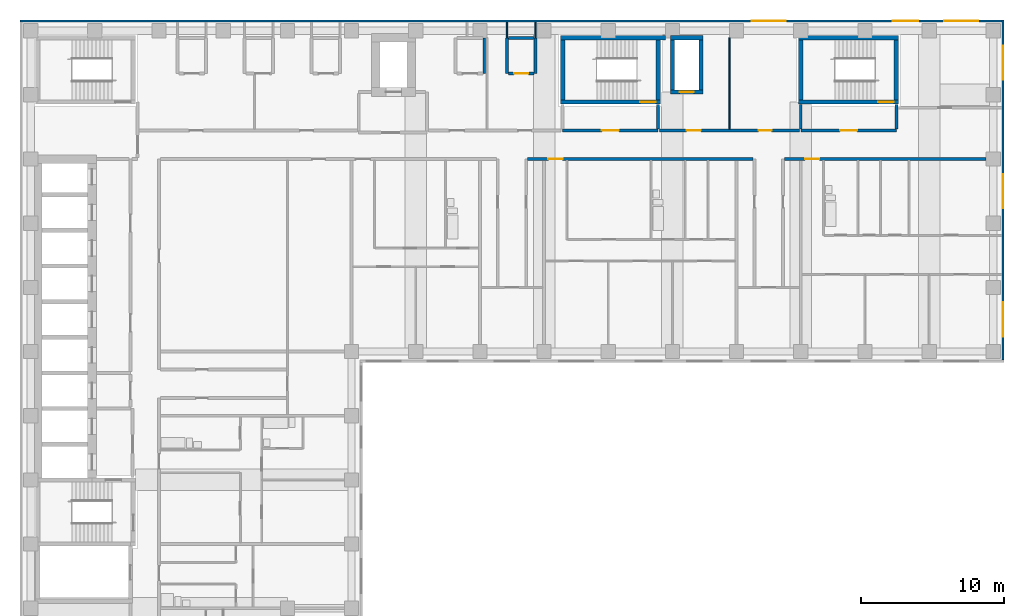
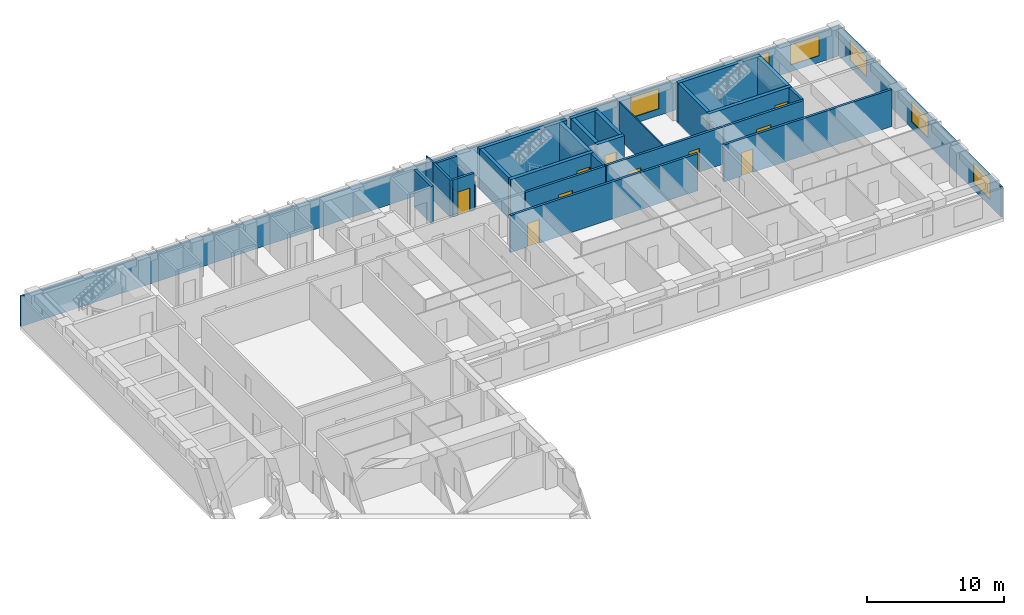
# One storey, part 8 of 12: 30 walls, 10 doors, 6 windows, 16 openings.
"""IFC4 building model written with IfcOpenShell, lengths in metres."""

from ifc_helpers import new_model, si_unit, direction, frame, frame_2d, origin, place, context, subcontext, project, spatial, rectangle, extrude, material, layer, layer_set, type_object, element, fill, save


model = new_model("IFC4")

# Units and contexts
model_context = context("Model", 3, precision=1e-05, world=origin(), true_north=direction((0.0, 1.0)))
body_context = subcontext(model_context, "Body", "Model", "MODEL_VIEW")
ifc_project = project(units=[si_unit("LENGTHUNIT", "METRE"), si_unit("AREAUNIT", "SQUARE_METRE"), si_unit("VOLUMEUNIT", "CUBIC_METRE"), si_unit("PLANEANGLEUNIT", "RADIAN"), si_unit("MASSUNIT", "GRAM", prefix="KILO")], contexts=[model_context])

# Site, building, storey
site_placement = place(None, origin())
site = spatial("IfcSite", under=ifc_project, at=site_placement, CompositionType="ELEMENT")
building_placement = place(site_placement, origin())
building = spatial("IfcBuilding", under=site, at=building_placement, Name="Firuza Court", CompositionType="ELEMENT")
storey_placement = place(building_placement, frame((0.0, 0.0, 152.0)))
storey = spatial("IfcBuildingStorey", under=building, at=storey_placement, Name="L38", CompositionType="ELEMENT", Elevation=152.0)

# Wall, opening, door
ifc_material_1 = material(Name="Concrete C60/75", Category="concrete")
ifc_layer_1 = layer(ifc_material_1, 0.300048828125)
ifc_layer_set_1 = layer_set([ifc_layer_1], Name="Concrete C60/75")
wall_type_1 = type_object("IfcWallType", Name="Core wall 300 C60/75", PredefinedType="SHEAR", material=ifc_layer_set_1)
wall_1_placement = place(storey_placement, frame((37.14990234375, 53.5, -0.300048828125), z_axis=(0.0, 0.0, 1.0), x_axis=(1.0, 0.0, 0.0)))
wall_1 = element("IfcWall", 1, at=wall_1_placement, inside=storey, type_object=wall_type_1, Name="Core wall stair L38", PredefinedType="SHEAR", context=body_context, shape_type="SweptSolid", body=[
    extrude(rectangle(XDim=7.0, YDim=0.300048828125, at=frame_2d((3.5, 0.0))), origin(), (0.0, 0.0, 1.0), 3.60009765625),
])
opening_1_placement = place(wall_1_placement, frame((5.580078125, 0.0, 0.300048828125)))
opening_1 = element("IfcOpeningElement", 2, at=opening_1_placement, cuts=wall_1, Name="Opening D38012", PredefinedType="OPENING", context=body_context, shape_type="SweptSolid", body=[
    extrude(rectangle(XDim=1.10009765625, YDim=2.10009765625, at=frame_2d((0.550048828125, 1.050048828125))), frame((0.0, 0.162109375, 0.0), z_axis=(0.0, -1.0, 0.0), x_axis=(1.0, 0.0, 0.0)), (0.0, 0.0, 1.0), 0.323974609375),
])
ifc_material_2 = material(Name="Timber door leaf in hardwood frame", Category="wood")
door_type_1 = type_object("IfcDoorType", Name="Stair door 1100", OperationType="SINGLE_SWING_LEFT", PredefinedType="DOOR", material=ifc_material_2)
door_1_placement = place(opening_1_placement, origin())
door_1 = element("IfcDoor", 3, at=door_1_placement, inside=storey, type_object=door_type_1, Name="Stair door S1", OperationType="SINGLE_SWING_RIGHT", OverallHeight=2.10009765625, OverallWidth=1.10009765625, PredefinedType="DOOR", context=body_context, shape_type="SweptSolid", body=[
    extrude(rectangle(XDim=1.10009765625, YDim=2.10009765625, at=frame_2d((0.550048828125, 1.050048828125))), frame((0.0, 0.02490234375, 0.0), z_axis=(0.0, -1.0, 0.0), x_axis=(1.0, 0.0, 0.0)), (0.0, 0.0, 1.0), 0.050048828125),
])
fill(opening_1, door_1)

# Walls
wall_2_placement = place(storey_placement, frame((37.14990234375, 58.0, -0.300048828125), z_axis=(0.0, 0.0, 1.0), x_axis=(1.0, 0.0, 0.0)))
element("IfcWall", 4, at=wall_2_placement, inside=storey, type_object=wall_type_1, Name="Core wall stair L38", PredefinedType="SHEAR", context=body_context, shape_type="SweptSolid", body=[
    extrude(rectangle(XDim=7.35009765625, YDim=0.300048828125, at=frame_2d((3.675048828125, 0.0))), origin(), (0.0, 0.0, 1.0), 3.60009765625),
])
for number, where, z_axis, x_axis, name in (
    (5, (37.300048828125, 53.64990234375, -0.300048828125), (0.0, 0.0, 1.0), (0.0, 1.0, 0.0), "Core wall stair L38"),
    (6, (44.0, 53.64990234375, -0.300048828125), (0.0, 0.0, 1.0), (0.0, 1.0, 0.0), "Core wall stair L38"),
):
    element("IfcWall", number, at=place(storey_placement, frame(where, z_axis=z_axis, x_axis=x_axis)), inside=storey, type_object=wall_type_1, Name=name, PredefinedType="SHEAR", context=body_context, shape_type="SweptSolid", body=[
        extrude(rectangle(XDim=4.2001953125, YDim=0.300048828125, at=frame_2d((2.10009765625, 0.0))), origin(), (0.0, 0.0, 1.0), 3.60009765625),
    ])

# Wall, opening, door
wall_3_placement = place(storey_placement, frame((44.85009765625, 54.199951171875, -0.300048828125), z_axis=(0.0, 0.0, 1.0), x_axis=(1.0, 0.0, 0.0)))
wall_3 = element("IfcWall", 7, at=wall_3_placement, inside=storey, type_object=wall_type_1, Name="Core wall riser L38", PredefinedType="SHEAR", context=body_context, shape_type="SweptSolid", body=[
    extrude(rectangle(XDim=2.2998046875, YDim=0.300048828125, at=frame_2d((1.14990234375, 0.0))), origin(), (0.0, 0.0, 1.0), 3.60009765625),
])
opening_2_placement = place(wall_3_placement, frame((0.64990234375, 0.0, 0.300048828125)))
opening_2 = element("IfcOpeningElement", 8, at=opening_2_placement, cuts=wall_3, Name="Opening D38010", PredefinedType="OPENING", context=body_context, shape_type="SweptSolid", body=[
    extrude(rectangle(XDim=1.0, YDim=2.10009765625, at=frame_2d((0.5, 1.050048828125))), frame((0.0, 0.162109375, 0.0), z_axis=(0.0, -1.0, 0.0), x_axis=(1.0, 0.0, 0.0)), (0.0, 0.0, 1.0), 0.323974609375),
])
ifc_material_3 = material(Name="Timber door leaf in hardwood frame", Category="wood")
door_type_2 = type_object("IfcDoorType", Name="Riser door 1000", OperationType="SINGLE_SWING_LEFT", PredefinedType="DOOR", material=ifc_material_3)
door_2_placement = place(opening_2_placement, origin())
door_2 = element("IfcDoor", 9, at=door_2_placement, inside=storey, type_object=door_type_2, Name="Riser door R3", OperationType="SINGLE_SWING_LEFT", OverallHeight=2.10009765625, OverallWidth=1.0, PredefinedType="DOOR", context=body_context, shape_type="SweptSolid", body=[
    extrude(rectangle(XDim=1.0, YDim=2.10009765625, at=frame_2d((0.5, 1.050048828125))), frame((0.0, 0.02490234375, 0.0), z_axis=(0.0, -1.0, 0.0), x_axis=(1.0, 0.0, 0.0)), (0.0, 0.0, 1.0), 0.050048828125),
])
fill(opening_2, door_2)

# Walls
wall_4_placement = place(storey_placement, frame((44.85009765625, 58.0, -0.300048828125), z_axis=(0.0, 0.0, 1.0), x_axis=(1.0, 0.0, 0.0)))
element("IfcWall", 10, at=wall_4_placement, inside=storey, type_object=wall_type_1, Name="Core wall riser L38", PredefinedType="SHEAR", context=body_context, shape_type="SweptSolid", body=[
    extrude(rectangle(XDim=2.2998046875, YDim=0.300048828125, at=frame_2d((1.14990234375, 0.0))), origin(), (0.0, 0.0, 1.0), 3.60009765625),
])
for number, where, z_axis, x_axis, name in (
    (11, (45.0, 54.35009765625, -0.300048828125), (0.0, 0.0, 1.0), (0.0, 1.0, 0.0), "Core wall riser L38"),
    (12, (47.0, 54.35009765625, -0.300048828125), (0.0, 0.0, 1.0), (0.0, 1.0, 0.0), "Core wall riser L38"),
):
    element("IfcWall", number, at=place(storey_placement, frame(where, z_axis=z_axis, x_axis=x_axis)), inside=storey, type_object=wall_type_1, Name=name, PredefinedType="SHEAR", context=body_context, shape_type="SweptSolid", body=[
        extrude(rectangle(XDim=3.5, YDim=0.300048828125, at=frame_2d((1.75, 0.0))), origin(), (0.0, 0.0, 1.0), 3.60009765625),
    ])

# Wall, opening, door
wall_5_placement = place(storey_placement, frame((53.85009765625, 53.5, -0.300048828125), z_axis=(0.0, 0.0, 1.0), x_axis=(1.0, 0.0, 0.0)))
wall_5 = element("IfcWall", 13, at=wall_5_placement, inside=storey, type_object=wall_type_1, Name="Core wall stair L38", PredefinedType="SHEAR", context=body_context, shape_type="SweptSolid", body=[
    extrude(rectangle(XDim=7.0, YDim=0.300048828125, at=frame_2d((3.5, 0.0))), origin(), (0.0, 0.0, 1.0), 3.60009765625),
])
opening_3_placement = place(wall_5_placement, frame((5.580078125, 0.0, 0.300048828125)))
opening_3 = element("IfcOpeningElement", 14, at=opening_3_placement, cuts=wall_5, Name="Opening D38016", PredefinedType="OPENING", context=body_context, shape_type="SweptSolid", body=[
    extrude(rectangle(XDim=1.10009765625, YDim=2.10009765625, at=frame_2d((0.550048828125, 1.050048828125))), frame((0.0, 0.162109375, 0.0), z_axis=(0.0, -1.0, 0.0), x_axis=(1.0, 0.0, 0.0)), (0.0, 0.0, 1.0), 0.323974609375),
])
door_3_placement = place(opening_3_placement, origin())
door_3 = element("IfcDoor", 15, at=door_3_placement, inside=storey, type_object=door_type_1, Name="Stair door S4", OperationType="SINGLE_SWING_RIGHT", OverallHeight=2.10009765625, OverallWidth=1.10009765625, PredefinedType="DOOR", context=body_context, shape_type="SweptSolid", body=[
    extrude(rectangle(XDim=1.10009765625, YDim=2.10009765625, at=frame_2d((0.550048828125, 1.050048828125))), frame((0.0, 0.02490234375, 0.0), z_axis=(0.0, -1.0, 0.0), x_axis=(1.0, 0.0, 0.0)), (0.0, 0.0, 1.0), 0.050048828125),
])
fill(opening_3, door_3)

# Walls
wall_6_placement = place(storey_placement, frame((53.85009765625, 58.0, -0.300048828125), z_axis=(0.0, 0.0, 1.0), x_axis=(1.0, 0.0, 0.0)))
element("IfcWall", 16, at=wall_6_placement, inside=storey, type_object=wall_type_1, Name="Core wall stair L38", PredefinedType="SHEAR", context=body_context, shape_type="SweptSolid", body=[
    extrude(rectangle(XDim=7.0, YDim=0.300048828125, at=frame_2d((3.5, 0.0))), origin(), (0.0, 0.0, 1.0), 3.60009765625),
])
for number, where, z_axis, x_axis, name in (
    (17, (54.0, 53.64990234375, -0.300048828125), (0.0, 0.0, 1.0), (0.0, 1.0, 0.0), "Core wall stair L38"),
    (18, (60.699951171875, 53.64990234375, -0.300048828125), (0.0, 0.0, 1.0), (0.0, 1.0, 0.0), "Core wall stair L38"),
):
    element("IfcWall", number, at=place(storey_placement, frame(where, z_axis=z_axis, x_axis=x_axis)), inside=storey, type_object=wall_type_1, Name=name, PredefinedType="SHEAR", context=body_context, shape_type="SweptSolid", body=[
        extrude(rectangle(XDim=4.2001953125, YDim=0.300048828125, at=frame_2d((2.10009765625, 0.0))), origin(), (0.0, 0.0, 1.0), 3.60009765625),
    ])

# Wall, opening, door
ifc_material_4 = material(Name="Blockwork, plastered both sides", Category="masonry")
ifc_layer_2 = layer(ifc_material_4, 0.199951171875)
ifc_layer_set_2 = layer_set([ifc_layer_2], Name="Blockwork, plastered both sides")
wall_type_2 = type_object("IfcWallType", Name="Corridor wall 200", PredefinedType="PARTITIONING", material=ifc_layer_set_2)
wall_7_placement = place(storey_placement, frame((34.85009765625, 49.5, 0.0), z_axis=(0.0, 0.0, 1.0), x_axis=(1.0, 0.0, 0.0)))
wall_7 = element("IfcWall", 19, at=wall_7_placement, inside=storey, type_object=wall_type_2, Name="Corridor wall 200 L38", PredefinedType="PARTITIONING", context=body_context, shape_type="SweptSolid", body=[
    extrude(rectangle(XDim=15.7998046875, YDim=0.199951171875, at=frame_2d((7.89990234375, 0.0))), origin(), (0.0, 0.0, 1.0), 3.300048828125),
])
opening_4_placement = place(wall_7_placement, frame((1.449951171875, 0.0, 0.0)))
opening_4 = element("IfcOpeningElement", 20, at=opening_4_placement, cuts=wall_7, Name="Opening D38068", PredefinedType="OPENING", context=body_context, shape_type="SweptSolid", body=[
    extrude(rectangle(XDim=1.0, YDim=2.10009765625, at=frame_2d((0.5, 1.050048828125))), frame((0.0, 0.11181640625, 0.0), z_axis=(0.0, -1.0, 0.0), x_axis=(1.0, 0.0, 0.0)), (0.0, 0.0, 1.0), 0.223876953125),
])
ifc_material_5 = material(Name="Timber door leaf in hardwood frame", Category="wood")
door_type_3 = type_object("IfcDoorType", Name="Flat entrance door 1000", OperationType="SINGLE_SWING_LEFT", PredefinedType="DOOR", material=ifc_material_5)
door_4_placement = place(opening_4_placement, origin())
door_4 = element("IfcDoor", 21, at=door_4_placement, inside=storey, type_object=door_type_3, Name="Flat entrance door", OperationType="SINGLE_SWING_LEFT", OverallHeight=2.10009765625, OverallWidth=1.0, PredefinedType="DOOR", context=body_context, shape_type="SweptSolid", body=[
    extrude(rectangle(XDim=1.0, YDim=2.10009765625, at=frame_2d((0.5, 1.050048828125))), frame((0.0, 0.02490234375, 0.0), z_axis=(0.0, -1.0, 0.0), x_axis=(1.0, 0.0, 0.0)), (0.0, 0.0, 1.0), 0.050048828125),
])
fill(opening_4, door_4)

wall_8_placement = place(storey_placement, frame((52.85009765625, 49.5, 0.0), z_axis=(0.0, 0.0, 1.0), x_axis=(1.0, 0.0, 0.0)))
wall_8 = element("IfcWall", 22, at=wall_8_placement, inside=storey, type_object=wall_type_2, Name="Corridor wall 200 L38", PredefinedType="PARTITIONING", context=body_context, shape_type="SweptSolid", body=[
    extrude(rectangle(XDim=14.14990234375, YDim=0.199951171875, at=frame_2d((7.074951171875, 0.0))), origin(), (0.0, 0.0, 1.0), 3.300048828125),
])
opening_5_placement = place(wall_8_placement, frame((1.449951171875, 0.0, 0.0)))
opening_5 = element("IfcOpeningElement", 23, at=opening_5_placement, cuts=wall_8, Name="Opening D38069", PredefinedType="OPENING", context=body_context, shape_type="SweptSolid", body=[
    extrude(rectangle(XDim=1.0, YDim=2.10009765625, at=frame_2d((0.5, 1.050048828125))), frame((0.0, 0.11181640625, 0.0), z_axis=(0.0, -1.0, 0.0), x_axis=(1.0, 0.0, 0.0)), (0.0, 0.0, 1.0), 0.223876953125),
])
door_5_placement = place(opening_5_placement, origin())
door_5 = element("IfcDoor", 24, at=door_5_placement, inside=storey, type_object=door_type_3, Name="Flat entrance door", OperationType="SINGLE_SWING_LEFT", OverallHeight=2.10009765625, OverallWidth=1.0, PredefinedType="DOOR", context=body_context, shape_type="SweptSolid", body=[
    extrude(rectangle(XDim=1.0, YDim=2.10009765625, at=frame_2d((0.5, 1.050048828125))), frame((0.0, 0.02490234375, 0.0), z_axis=(0.0, -1.0, 0.0), x_axis=(1.0, 0.0, 0.0)), (0.0, 0.0, 1.0), 0.050048828125),
])
fill(opening_5, door_5)

# Wall, openings, doors
wall_9_placement = place(storey_placement, frame((44.10009765625, 51.5, 0.0), z_axis=(0.0, 0.0, 1.0), x_axis=(1.0, 0.0, 0.0)))
wall_9 = element("IfcWall", 25, at=wall_9_placement, inside=storey, type_object=wall_type_2, Name="Corridor wall 200 L38", PredefinedType="PARTITIONING", context=body_context, shape_type="SweptSolid", body=[
    extrude(rectangle(XDim=9.7998046875, YDim=0.199951171875, at=frame_2d((4.89990234375, 0.0))), origin(), (0.0, 0.0, 1.0), 3.300048828125),
])
opening_6_placement = place(wall_9_placement, frame((1.89990234375, 0.0, 0.0)))
opening_6 = element("IfcOpeningElement", 26, at=opening_6_placement, cuts=wall_9, Name="Opening D38074", PredefinedType="OPENING", context=body_context, shape_type="SweptSolid", body=[
    extrude(rectangle(XDim=1.0, YDim=2.10009765625, at=frame_2d((0.5, 1.050048828125))), frame((0.0, 0.11181640625, 0.0), z_axis=(0.0, -1.0, 0.0), x_axis=(1.0, 0.0, 0.0)), (0.0, 0.0, 1.0), 0.223876953125),
])
opening_7_placement = place(wall_9_placement, frame((6.949951171875, 0.0, 0.0)))
opening_7 = element("IfcOpeningElement", 27, at=opening_7_placement, cuts=wall_9, Name="Opening D38075", PredefinedType="OPENING", context=body_context, shape_type="SweptSolid", body=[
    extrude(rectangle(XDim=0.89990234375, YDim=2.10009765625, at=frame_2d((0.449951171875, 1.050048828125))), frame((0.0, 0.11181640625, 0.0), z_axis=(0.0, -1.0, 0.0), x_axis=(1.0, 0.0, 0.0)), (0.0, 0.0, 1.0), 0.223876953125),
])
ifc_material_6 = material(Name="Timber door leaf in hardwood frame", Category="wood")
door_type_4 = type_object("IfcDoorType", Name="Room door 900 EI 30", OperationType="SINGLE_SWING_LEFT", PredefinedType="DOOR", material=ifc_material_6)
door_6_placement = place(opening_7_placement, origin())
door_6 = element("IfcDoor", 28, at=door_6_placement, inside=storey, type_object=door_type_4, Name="Meeting room door", OperationType="SINGLE_SWING_LEFT", OverallHeight=2.10009765625, OverallWidth=0.89990234375, PredefinedType="DOOR", context=body_context, shape_type="SweptSolid", body=[
    extrude(rectangle(XDim=0.89990234375, YDim=2.10009765625, at=frame_2d((0.449951171875, 1.050048828125))), frame((0.0, 0.02490234375, 0.0), z_axis=(0.0, -1.0, 0.0), x_axis=(1.0, 0.0, 0.0)), (0.0, 0.0, 1.0), 0.050048828125),
])
fill(opening_7, door_6)
ifc_material_7 = material(Name="Timber door leaf in hardwood frame", Category="wood")
door_type_5 = type_object("IfcDoorType", Name="Store door 1000", OperationType="SINGLE_SWING_LEFT", PredefinedType="DOOR", material=ifc_material_7)
door_7_placement = place(opening_6_placement, origin())
door_7 = element("IfcDoor", 29, at=door_7_placement, inside=storey, type_object=door_type_5, Name="Valet store door", OperationType="SINGLE_SWING_LEFT", OverallHeight=2.10009765625, OverallWidth=1.0, PredefinedType="DOOR", context=body_context, shape_type="SweptSolid", body=[
    extrude(rectangle(XDim=1.0, YDim=2.10009765625, at=frame_2d((0.5, 1.050048828125))), frame((0.0, 0.02490234375, 0.0), z_axis=(0.0, -1.0, 0.0), x_axis=(1.0, 0.0, 0.0)), (0.0, 0.0, 1.0), 0.050048828125),
])
fill(opening_6, door_7)

# Walls
ifc_material_8 = material(Name="Timber stud partition, plasterboard both sides", Category="wood")
ifc_layer_3 = layer(ifc_material_8, 0.10009765625)
ifc_layer_set_3 = layer_set([ifc_layer_3], Name="Timber stud partition, plasterboard both sides")
wall_type_3 = type_object("IfcWallType", Name="Partition wall 100", PredefinedType="PARTITIONING", material=ifc_layer_set_3)
wall_10_placement = place(storey_placement, frame((49.0, 51.60009765625, 0.0), z_axis=(0.0, 0.0, 1.0), x_axis=(0.0, 1.0, 0.0)))
element("IfcWall", 30, at=wall_10_placement, inside=storey, type_object=wall_type_3, Name="Partition wall 100 L38", PredefinedType="PARTITIONING", context=body_context, shape_type="SweptSolid", body=[
    extrude(rectangle(XDim=6.39990234375, YDim=0.10009765625, at=frame_2d((3.199951171875, 0.0))), origin(), (0.0, 0.0, 1.0), 3.300048828125),
])
wall_11_placement = place(storey_placement, frame((33.39990234375, 58.0, 0.0), z_axis=(0.0, 0.0, 1.0), x_axis=(0.0, 1.0, 0.0)))
element("IfcWall", 31, at=wall_11_placement, inside=storey, type_object=wall_type_3, Name="Partition wall 100 L38", PredefinedType="PARTITIONING", context=body_context, shape_type="SweptSolid", body=[
    extrude(rectangle(XDim=1.10009765625, YDim=0.10009765625, at=frame_2d((0.550048828125, 0.0))), origin(), (0.0, 0.0, 1.0), 3.300048828125),
])
wall_12_placement = place(storey_placement, frame((35.39990234375, 58.0, 0.0), z_axis=(0.0, 0.0, 1.0), x_axis=(0.0, 1.0, 0.0)))
element("IfcWall", 32, at=wall_12_placement, inside=storey, type_object=wall_type_3, Name="Partition wall 100 L38", PredefinedType="PARTITIONING", context=body_context, shape_type="SweptSolid", body=[
    extrude(rectangle(XDim=1.10009765625, YDim=0.10009765625, at=frame_2d((0.550048828125, 0.0))), origin(), (0.0, 0.0, 1.0), 2.39990234375),
])
ifc_material_9 = material(Name="Blockwork, fire-rated", Category="masonry")
ifc_layer_4 = layer(ifc_material_9, 0.199951171875)
ifc_layer_set_4 = layer_set([ifc_layer_4], Name="Blockwork, fire-rated")
wall_type_4 = type_object("IfcWallType", Name="Plant room wall 200", PredefinedType="PARTITIONING", material=ifc_layer_set_4)
for number, where, z_axis, x_axis, name in (
    (33, (31.800048828125, 55.5, 0.0), (0.0, 0.0, 1.0), (0.0, 1.0, 0.0), "Plant room wall 200 L38"),
    (34, (33.39990234375, 55.5, 0.0), (0.0, 0.0, 1.0), (0.0, 1.0, 0.0), "Plant room wall 200 L38"),
):
    element("IfcWall", number, at=place(storey_placement, frame(where, z_axis=z_axis, x_axis=x_axis)), inside=storey, type_object=wall_type_4, Name=name, PredefinedType="PARTITIONING", context=body_context, shape_type="SweptSolid", body=[
        extrude(rectangle(XDim=2.5, YDim=0.199951171875, at=frame_2d((1.25, 0.0))), origin(), (0.0, 0.0, 1.0), 3.300048828125),
    ])

# Wall, opening, door
wall_13_placement = place(storey_placement, frame((33.5, 55.5, 0.0), z_axis=(0.0, 0.0, 1.0), x_axis=(1.0, 0.0, 0.0)))
wall_13 = element("IfcWall", 35, at=wall_13_placement, inside=storey, type_object=wall_type_4, Name="Plant room wall 200 L38", PredefinedType="PARTITIONING", context=body_context, shape_type="SweptSolid", body=[
    extrude(rectangle(XDim=1.800048828125, YDim=0.199951171875, at=frame_2d((0.89990234375, 0.0))), origin(), (0.0, 0.0, 1.0), 3.300048828125),
])
opening_8_placement = place(wall_13_placement, frame((0.39990234375, 0.0, 0.0)))
opening_8 = element("IfcOpeningElement", 36, at=opening_8_placement, cuts=wall_13, Name="Opening D38081", PredefinedType="OPENING", context=body_context, shape_type="SweptSolid", body=[
    extrude(rectangle(XDim=1.0, YDim=2.10009765625, at=frame_2d((0.5, 1.050048828125))), frame((0.0, 0.11181640625, 0.0), z_axis=(0.0, -1.0, 0.0), x_axis=(1.0, 0.0, 0.0)), (0.0, 0.0, 1.0), 0.223876953125),
])
door_8_placement = place(opening_8_placement, origin())
door_8 = element("IfcDoor", 37, at=door_8_placement, inside=storey, type_object=door_type_2, Name="Duct riser door", OperationType="SINGLE_SWING_LEFT", OverallHeight=2.10009765625, OverallWidth=1.0, PredefinedType="DOOR", context=body_context, shape_type="SweptSolid", body=[
    extrude(rectangle(XDim=1.0, YDim=2.10009765625, at=frame_2d((0.5, 1.050048828125))), frame((0.0, 0.02490234375, 0.0), z_axis=(0.0, -1.0, 0.0), x_axis=(1.0, 0.0, 0.0)), (0.0, 0.0, 1.0), 0.050048828125),
])
fill(opening_8, door_8)

# Walls
wall_14_placement = place(storey_placement, frame((35.39990234375, 55.5, 0.0), z_axis=(0.0, 0.0, 1.0), x_axis=(0.0, 1.0, 0.0)))
element("IfcWall", 38, at=wall_14_placement, inside=storey, type_object=wall_type_4, Name="Plant room wall 200 L38", PredefinedType="PARTITIONING", context=body_context, shape_type="SweptSolid", body=[
    extrude(rectangle(XDim=2.5, YDim=0.199951171875, at=frame_2d((1.25, 0.0))), origin(), (0.0, 0.0, 1.0), 2.39990234375),
])
wall_15_placement = place(storey_placement, frame((33.5, 58.0, 0.0), z_axis=(0.0, 0.0, 1.0), x_axis=(1.0, 0.0, 0.0)))
element("IfcWall", 39, at=wall_15_placement, inside=storey, type_object=wall_type_4, Name="Plant room wall 200 L38", PredefinedType="PARTITIONING", context=body_context, shape_type="SweptSolid", body=[
    extrude(rectangle(XDim=1.800048828125, YDim=0.199951171875, at=frame_2d((0.89990234375, 0.0))), origin(), (0.0, 0.0, 1.0), 3.300048828125),
])

# Wall, openings, windows
ifc_material_10 = material(Name="Ceramic tile", Category="ceramic")
ifc_layer_5 = layer(ifc_material_10, 0.02001953125)
ifc_material_11 = material(Name="Mineral wool insulation", Category="insulation")
ifc_layer_6 = layer(ifc_material_11, 0.050048828125)
ifc_material_12 = material(Name="Concrete C40/50 precast", Category="concrete")
ifc_layer_7 = layer(ifc_material_12, 0.080078125)
ifc_layer_set_5 = layer_set([ifc_layer_5, ifc_layer_6, ifc_layer_7], Name="Concrete C40/50 precast")
wall_type_5 = type_object("IfcWallType", Name="Precast cladding wall with turquoise TILE PANEL face 150", PredefinedType="STANDARD", material=ifc_layer_set_5)
wall_16_placement = place(storey_placement, frame((68.175048828125, 35.39990234375, 0.0), z_axis=(0.0, 0.0, 1.0), x_axis=(0.0, 1.0, 0.0)))
wall_16 = element("IfcWall", 40, at=wall_16_placement, inside=storey, type_object=wall_type_5, Name="Facade wall L38 E", PredefinedType="STANDARD", context=body_context, shape_type="SweptSolid", body=[
    extrude(rectangle(XDim=23.85009765625, YDim=0.14990234375, at=frame_2d((11.925048828125, 0.0))), origin(), (0.0, 0.0, 1.0), 2.699951171875),
])
opening_9_placement = place(wall_16_placement, frame((1.64990234375, 0.0, 0.60009765625)))
opening_9 = element("IfcOpeningElement", 41, at=opening_9_placement, cuts=wall_16, Name="Opening W1", PredefinedType="OPENING", context=body_context, shape_type="SweptSolid", body=[
    extrude(rectangle(XDim=2.39990234375, YDim=1.800048828125, at=frame_2d((1.199951171875, 0.89990234375))), frame((0.0, 0.0869140625, 0.0), z_axis=(0.0, -1.0, 0.0), x_axis=(1.0, 0.0, 0.0)), (0.0, 0.0, 1.0), 0.173828125),
])
opening_10_placement = place(wall_16_placement, frame((10.64990234375, 0.0, 0.60009765625)))
opening_10 = element("IfcOpeningElement", 42, at=opening_10_placement, cuts=wall_16, Name="Opening W1", PredefinedType="OPENING", context=body_context, shape_type="SweptSolid", body=[
    extrude(rectangle(XDim=2.39990234375, YDim=1.800048828125, at=frame_2d((1.199951171875, 0.89990234375))), frame((0.0, 0.0869140625, 0.0), z_axis=(0.0, -1.0, 0.0), x_axis=(1.0, 0.0, 0.0)), (0.0, 0.0, 1.0), 0.173828125),
])
opening_11_placement = place(wall_16_placement, frame((19.64990234375, 0.0, 0.60009765625)))
opening_11 = element("IfcOpeningElement", 43, at=opening_11_placement, cuts=wall_16, Name="Opening W1", PredefinedType="OPENING", context=body_context, shape_type="SweptSolid", body=[
    extrude(rectangle(XDim=2.39990234375, YDim=1.800048828125, at=frame_2d((1.199951171875, 0.89990234375))), frame((0.0, 0.0869140625, 0.0), z_axis=(0.0, -1.0, 0.0), x_axis=(1.0, 0.0, 0.0)), (0.0, 0.0, 1.0), 0.173828125),
])
ifc_material_13 = material(Name="Aluminium frame, triple clear glazing", Category="aluminium")
window_type_1 = type_object("IfcWindowType", Name="Window W1 2400 x 1800", PartitioningType="SINGLE_PANEL", PredefinedType="WINDOW", material=ifc_material_13)
window_1_placement = place(opening_9_placement, origin())
window_1 = element("IfcWindow", 44, at=window_1_placement, inside=storey, type_object=window_type_1, Name="Window L38", OverallHeight=1.800048828125, OverallWidth=2.39990234375, PartitioningType="SINGLE_PANEL", PredefinedType="WINDOW", context=body_context, shape_type="SweptSolid", body=[
    extrude(rectangle(XDim=2.39990234375, YDim=1.800048828125, at=frame_2d((1.199951171875, 0.89990234375))), frame((0.0, 0.030029296875, 0.0), z_axis=(0.0, -1.0, 0.0), x_axis=(1.0, 0.0, 0.0)), (0.0, 0.0, 1.0), 0.06005859375),
])
fill(opening_9, window_1)
window_2_placement = place(opening_10_placement, origin())
window_2 = element("IfcWindow", 45, at=window_2_placement, inside=storey, type_object=window_type_1, Name="Window L38", OverallHeight=1.800048828125, OverallWidth=2.39990234375, PartitioningType="SINGLE_PANEL", PredefinedType="WINDOW", context=body_context, shape_type="SweptSolid", body=[
    extrude(rectangle(XDim=2.39990234375, YDim=1.800048828125, at=frame_2d((1.199951171875, 0.89990234375))), frame((0.0, 0.030029296875, 0.0), z_axis=(0.0, -1.0, 0.0), x_axis=(1.0, 0.0, 0.0)), (0.0, 0.0, 1.0), 0.06005859375),
])
fill(opening_10, window_2)
window_3_placement = place(opening_11_placement, origin())
window_3 = element("IfcWindow", 46, at=window_3_placement, inside=storey, type_object=window_type_1, Name="Window L38", OverallHeight=1.800048828125, OverallWidth=2.39990234375, PartitioningType="SINGLE_PANEL", PredefinedType="WINDOW", context=body_context, shape_type="SweptSolid", body=[
    extrude(rectangle(XDim=2.39990234375, YDim=1.800048828125, at=frame_2d((1.199951171875, 0.89990234375))), frame((0.0, 0.030029296875, 0.0), z_axis=(0.0, -1.0, 0.0), x_axis=(1.0, 0.0, 0.0)), (0.0, 0.0, 1.0), 0.06005859375),
])
fill(opening_11, window_3)

wall_17_placement = place(storey_placement, frame((68.10009765625, 59.175048828125, 0.0), z_axis=(0.0, 0.0, 1.0), x_axis=(-1.0, 0.0, 0.0)))
wall_17 = element("IfcWall", 47, at=wall_17_placement, inside=storey, type_object=wall_type_5, Name="Facade wall L38 N", PredefinedType="STANDARD", context=body_context, shape_type="SweptSolid", body=[
    extrude(rectangle(XDim=68.85009765625, YDim=0.14990234375, at=frame_2d((34.425048828125, 0.0))), origin(), (0.0, 0.0, 1.0), 2.699951171875),
])
opening_12_placement = place(wall_17_placement, frame((1.64990234375, 0.0, 0.60009765625)))
opening_12 = element("IfcOpeningElement", 48, at=opening_12_placement, cuts=wall_17, Name="Opening W1", PredefinedType="OPENING", context=body_context, shape_type="SweptSolid", body=[
    extrude(rectangle(XDim=2.39990234375, YDim=1.800048828125, at=frame_2d((1.199951171875, 0.89990234375))), frame((0.0, 0.0869140625, 0.0), z_axis=(0.0, -1.0, 0.0), x_axis=(1.0, 0.0, 0.0)), (0.0, 0.0, 1.0), 0.173828125),
])
opening_13_placement = place(wall_17_placement, frame((5.859619140625, 0.0, 0.60009765625)))
opening_13 = element("IfcOpeningElement", 49, at=opening_13_placement, cuts=wall_17, Name="Opening W7", PredefinedType="OPENING", context=body_context, shape_type="SweptSolid", body=[
    extrude(rectangle(XDim=1.800048828125, YDim=1.800048828125, at=frame_2d((0.89990234375, 0.89990234375))), frame((0.0, 0.0869140625, 0.0), z_axis=(0.0, -1.0, 0.0), x_axis=(1.0, 0.0, 0.0)), (0.0, 0.0, 1.0), 0.173828125),
])
opening_14_placement = place(wall_17_placement, frame((15.14990234375, 0.0, 0.60009765625)))
opening_14 = element("IfcOpeningElement", 50, at=opening_14_placement, cuts=wall_17, Name="Opening W1", PredefinedType="OPENING", context=body_context, shape_type="SweptSolid", body=[
    extrude(rectangle(XDim=2.39990234375, YDim=1.800048828125, at=frame_2d((1.199951171875, 0.89990234375))), frame((0.0, 0.0869140625, 0.0), z_axis=(0.0, -1.0, 0.0), x_axis=(1.0, 0.0, 0.0)), (0.0, 0.0, 1.0), 0.173828125),
])
window_4_placement = place(opening_12_placement, origin())
window_4 = element("IfcWindow", 51, at=window_4_placement, inside=storey, type_object=window_type_1, Name="Window L38", OverallHeight=1.800048828125, OverallWidth=2.39990234375, PartitioningType="SINGLE_PANEL", PredefinedType="WINDOW", context=body_context, shape_type="SweptSolid", body=[
    extrude(rectangle(XDim=2.39990234375, YDim=1.800048828125, at=frame_2d((1.199951171875, 0.89990234375))), frame((0.0, 0.030029296875, 0.0), z_axis=(0.0, -1.0, 0.0), x_axis=(1.0, 0.0, 0.0)), (0.0, 0.0, 1.0), 0.06005859375),
])
fill(opening_12, window_4)
window_5_placement = place(opening_14_placement, origin())
window_5 = element("IfcWindow", 52, at=window_5_placement, inside=storey, type_object=window_type_1, Name="Window L38", OverallHeight=1.800048828125, OverallWidth=2.39990234375, PartitioningType="SINGLE_PANEL", PredefinedType="WINDOW", context=body_context, shape_type="SweptSolid", body=[
    extrude(rectangle(XDim=2.39990234375, YDim=1.800048828125, at=frame_2d((1.199951171875, 0.89990234375))), frame((0.0, 0.030029296875, 0.0), z_axis=(0.0, -1.0, 0.0), x_axis=(1.0, 0.0, 0.0)), (0.0, 0.0, 1.0), 0.06005859375),
])
fill(opening_14, window_5)
ifc_material_14 = material(Name="Aluminium frame, triple clear glazing", Category="aluminium")
window_type_2 = type_object("IfcWindowType", Name="Window W7 1800 x 1800", PartitioningType="SINGLE_PANEL", PredefinedType="WINDOW", material=ifc_material_14)
window_6_placement = place(opening_13_placement, origin())
window_6 = element("IfcWindow", 53, at=window_6_placement, inside=storey, type_object=window_type_2, Name="Window L38", OverallHeight=1.800048828125, OverallWidth=1.800048828125, PartitioningType="SINGLE_PANEL", PredefinedType="WINDOW", context=body_context, shape_type="SweptSolid", body=[
    extrude(rectangle(XDim=1.800048828125, YDim=1.800048828125, at=frame_2d((0.89990234375, 0.89990234375))), frame((0.0, 0.030029296875, 0.0), z_axis=(0.0, -1.0, 0.0), x_axis=(1.0, 0.0, 0.0)), (0.0, 0.0, 1.0), 0.06005859375),
])
fill(opening_13, window_6)

# Wall, opening, door
ifc_layer_8 = layer(ifc_material_9, 0.199951171875)
ifc_layer_set_6 = layer_set([ifc_layer_8], Name="Blockwork, fire-rated")
wall_type_6 = type_object("IfcWallType", Name="Shaft wall 200", PredefinedType="PARTITIONING", material=ifc_layer_set_6)
wall_18_placement = place(storey_placement, frame((37.300048828125, 51.5, 0.0), z_axis=(0.0, 0.0, 1.0), x_axis=(1.0, 0.0, 0.0)))
wall_18 = element("IfcWall", 54, at=wall_18_placement, inside=storey, type_object=wall_type_6, Name="Shaft wall 200 L38", PredefinedType="PARTITIONING", context=body_context, shape_type="SweptSolid", body=[
    extrude(rectangle(XDim=6.699951171875, YDim=0.199951171875, at=frame_2d((3.35009765625, 0.0))), origin(), (0.0, 0.0, 1.0), 3.300048828125),
])
opening_15_placement = place(wall_18_placement, frame((2.75, 0.0, 0.0)))
opening_15 = element("IfcOpeningElement", 55, at=opening_15_placement, cuts=wall_18, Name="Opening D38006", PredefinedType="OPENING", context=body_context, shape_type="SweptSolid", body=[
    extrude(rectangle(XDim=1.199951171875, YDim=2.10009765625, at=frame_2d((0.60009765625, 1.050048828125))), frame((0.0, 0.11181640625, 0.0), z_axis=(0.0, -1.0, 0.0), x_axis=(1.0, 0.0, 0.0)), (0.0, 0.0, 1.0), 0.223876953125),
])
ifc_material_15 = material(Name="Timber door leaf in hardwood frame", Category="wood")
door_type_6 = type_object("IfcDoorType", Name="Lobby door 1200", OperationType="SINGLE_SWING_LEFT", PredefinedType="DOOR", material=ifc_material_15)
door_9_placement = place(opening_15_placement, origin())
door_9 = element("IfcDoor", 56, at=door_9_placement, inside=storey, type_object=door_type_6, Name="Lobby door", OperationType="SINGLE_SWING_LEFT", OverallHeight=2.10009765625, OverallWidth=1.199951171875, PredefinedType="DOOR", context=body_context, shape_type="SweptSolid", body=[
    extrude(rectangle(XDim=1.199951171875, YDim=2.10009765625, at=frame_2d((0.60009765625, 1.050048828125))), frame((0.0, 0.02490234375, 0.0), z_axis=(0.0, -1.0, 0.0), x_axis=(1.0, 0.0, 0.0)), (0.0, 0.0, 1.0), 0.050048828125),
])
fill(opening_15, door_9)

# Wall
wall_19_placement = place(storey_placement, frame((44.0, 51.60009765625, 0.0), z_axis=(0.0, 0.0, 1.0), x_axis=(0.0, 1.0, 0.0)))
element("IfcWall", 57, at=wall_19_placement, inside=storey, type_object=wall_type_6, Name="Shaft wall 200 L38", PredefinedType="PARTITIONING", context=body_context, shape_type="SweptSolid", body=[
    extrude(rectangle(XDim=1.72998046875, YDim=0.199951171875, at=frame_2d((0.864990234375, 0.0))), origin(), (0.0, 0.0, 1.0), 3.300048828125),
])

# Wall, opening, door
wall_20_placement = place(storey_placement, frame((54.0, 51.5, 0.0), z_axis=(0.0, 0.0, 1.0), x_axis=(1.0, 0.0, 0.0)))
wall_20 = element("IfcWall", 58, at=wall_20_placement, inside=storey, type_object=wall_type_6, Name="Shaft wall 200 L38", PredefinedType="PARTITIONING", context=body_context, shape_type="SweptSolid", body=[
    extrude(rectangle(XDim=6.699951171875, YDim=0.199951171875, at=frame_2d((3.35009765625, 0.0))), origin(), (0.0, 0.0, 1.0), 3.300048828125),
])
opening_16_placement = place(wall_20_placement, frame((2.75, 0.0, 0.0)))
opening_16 = element("IfcOpeningElement", 59, at=opening_16_placement, cuts=wall_20, Name="Opening D38007", PredefinedType="OPENING", context=body_context, shape_type="SweptSolid", body=[
    extrude(rectangle(XDim=1.199951171875, YDim=2.10009765625, at=frame_2d((0.60009765625, 1.050048828125))), frame((0.0, 0.11181640625, 0.0), z_axis=(0.0, -1.0, 0.0), x_axis=(1.0, 0.0, 0.0)), (0.0, 0.0, 1.0), 0.223876953125),
])
door_10_placement = place(opening_16_placement, origin())
door_10 = element("IfcDoor", 60, at=door_10_placement, inside=storey, type_object=door_type_6, Name="Lobby door", OperationType="SINGLE_SWING_LEFT", OverallHeight=2.10009765625, OverallWidth=1.199951171875, PredefinedType="DOOR", context=body_context, shape_type="SweptSolid", body=[
    extrude(rectangle(XDim=1.199951171875, YDim=2.10009765625, at=frame_2d((0.60009765625, 1.050048828125))), frame((0.0, 0.02490234375, 0.0), z_axis=(0.0, -1.0, 0.0), x_axis=(1.0, 0.0, 0.0)), (0.0, 0.0, 1.0), 0.050048828125),
])
fill(opening_16, door_10)

# Walls
wall_21_placement = place(storey_placement, frame((60.699951171875, 51.60009765625, 0.0), z_axis=(0.0, 0.0, 1.0), x_axis=(0.0, 1.0, 0.0)))
element("IfcWall", 61, at=wall_21_placement, inside=storey, type_object=wall_type_6, Name="Shaft wall 200 L38", PredefinedType="PARTITIONING", context=body_context, shape_type="SweptSolid", body=[
    extrude(rectangle(XDim=1.72998046875, YDim=0.199951171875, at=frame_2d((0.864990234375, 0.0))), origin(), (0.0, 0.0, 1.0), 3.300048828125),
])
wall_22_placement = place(storey_placement, frame((54.0, 51.60009765625, 0.0), z_axis=(0.0, 0.0, 1.0), x_axis=(0.0, 1.0, 0.0)))
element("IfcWall", 62, at=wall_22_placement, inside=storey, type_object=wall_type_6, Name="Shaft wall 200 L38", PredefinedType="PARTITIONING", context=body_context, shape_type="SweptSolid", body=[
    extrude(rectangle(XDim=1.72998046875, YDim=0.199951171875, at=frame_2d((0.864990234375, 0.0))), origin(), (0.0, 0.0, 1.0), 2.60009765625),
])

save(model, "model.ifc")
